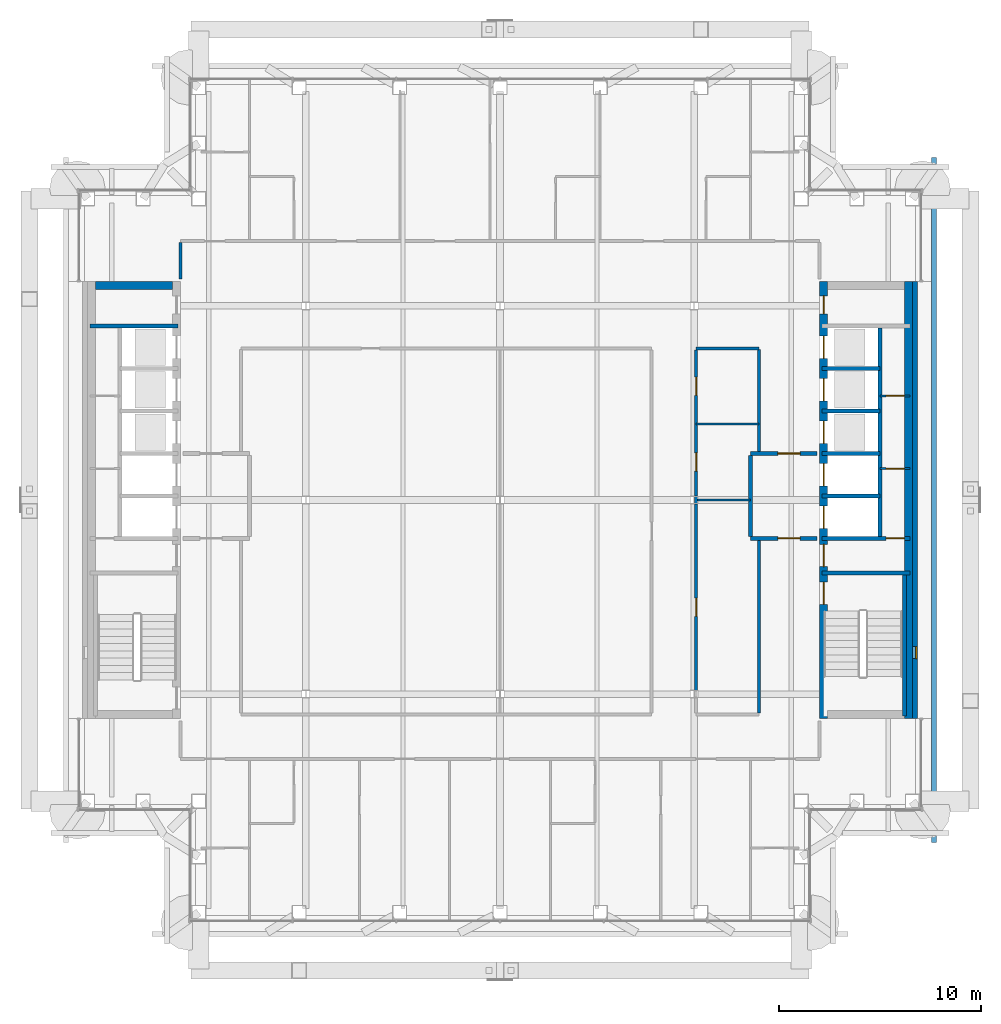
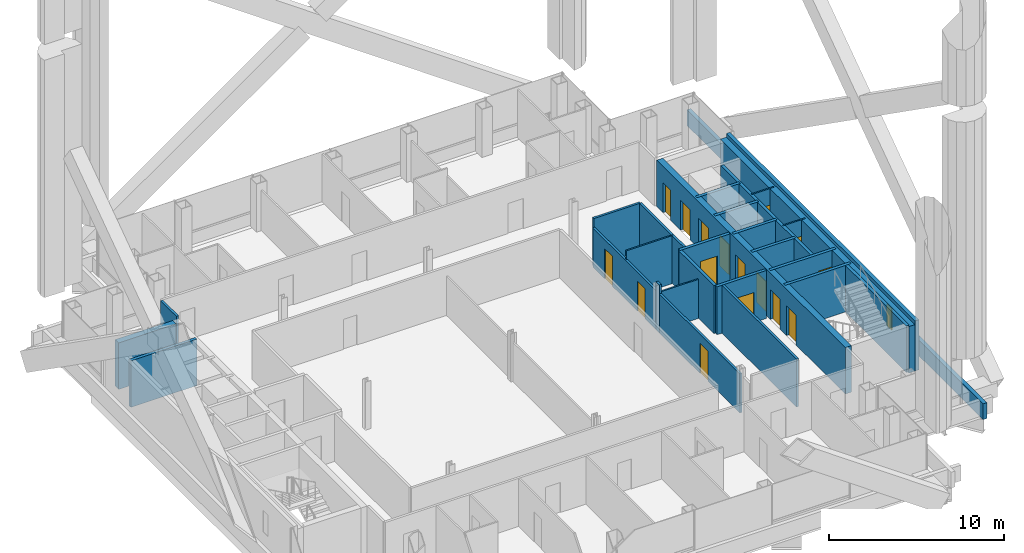
# One storey, part 15 of 22: 28 walls, 16 doors, 1 window, 17 openings.
"""IFC4 building model written with IfcOpenShell, lengths in metres."""

from ifc_helpers import new_model, si_unit, direction, frame, frame_2d, origin, place, context, subcontext, project, spatial, rectangle, extrude, material, layer, layer_set, type_object, element, fill, save


model = new_model("IFC4")

# Units and contexts
model_context = context("Model", 3, precision=1e-05, world=origin(), true_north=direction((0.0, 1.0)))
body_context = subcontext(model_context, "Body", "Model", "MODEL_VIEW")
ifc_project = project(units=[si_unit("LENGTHUNIT", "METRE"), si_unit("AREAUNIT", "SQUARE_METRE"), si_unit("VOLUMEUNIT", "CUBIC_METRE"), si_unit("PLANEANGLEUNIT", "RADIAN"), si_unit("MASSUNIT", "GRAM", prefix="KILO")], contexts=[model_context])

# Site, building, storey
site_placement = place(None, origin())
site = spatial("IfcSite", under=ifc_project, at=site_placement, CompositionType="ELEMENT")
building_placement = place(site_placement, origin())
building = spatial("IfcBuilding", under=site, at=building_placement, Name="Cobrizo Arcos Hotel Tower", CompositionType="ELEMENT")
storey_placement = place(building_placement, frame((0.0, 0.0, 191.0)))
storey = spatial("IfcBuildingStorey", under=building, at=storey_placement, Name="L49", CompositionType="ELEMENT", Elevation=191.0)

# Walls
ifc_material_1 = material(Name="Gypsum board partition")
ifc_layer_1 = layer(ifc_material_1, 0.14990234375)
ifc_layer_set_1 = layer_set([ifc_layer_1], Name="Corridor wall EI 60 150")
wall_type_1 = type_object("IfcWallType", Name="Corridor wall EI 60 150", PredefinedType="PARTITIONING", material=ifc_layer_set_1)
wall_1_placement = place(storey_placement, frame((9.699951171875, 7.5, 0.0), z_axis=(0.0, 0.0, 1.0), x_axis=(1.0, 0.0, 0.0)))
element("IfcWall", 1, at=wall_1_placement, inside=storey, type_object=wall_type_1, Name="Partition 031", PredefinedType="PARTITIONING", context=body_context, shape_type="SweptSolid", body=[
    extrude(rectangle(XDim=3.10009765625, YDim=0.14990234375, at=frame_2d((1.550048828125, 0.0))), origin(), (0.0, 0.0, 1.0), 3.35009765625),
])
wall_2_placement = place(storey_placement, frame((-15.800048828125, 10.919921875, 0.0), z_axis=(0.0, 0.0, 1.0), x_axis=(0.0, 1.0, 0.0)))
element("IfcWall", 2, at=wall_2_placement, inside=storey, type_object=wall_type_1, Name="Partition 043", PredefinedType="PARTITIONING", context=body_context, shape_type="SweptSolid", body=[
    extrude(rectangle(XDim=1.80517578125, YDim=0.14990234375, at=frame_2d((0.902587890625, 0.0))), origin(), (0.0, 0.0, 1.0), 3.35009765625),
])

# Wall, opening, door
wall_3_placement = place(storey_placement, frame((9.699951171875, -9.4130859375, 0.0), z_axis=(0.0, 0.0, 1.0), x_axis=(0.0, 1.0, 0.0)))
wall_3 = element("IfcWall", 3, at=wall_3_placement, inside=storey, type_object=wall_type_1, Name="Partition 068", PredefinedType="PARTITIONING", context=body_context, shape_type="SweptSolid", body=[
    extrude(rectangle(XDim=9.22607421875, YDim=0.14990234375, at=frame_2d((4.613037109375, 0.0))), origin(), (0.0, 0.0, 1.0), 2.72802734375),
])
opening_1_placement = place(wall_3_placement, frame((3.6630859375, 0.0, 0.0)))
opening_1 = element("IfcOpeningElement", 4, at=opening_1_placement, cuts=wall_3, Name="Opening RD-13", PredefinedType="OPENING", context=body_context, shape_type="SweptSolid", body=[
    extrude(rectangle(XDim=0.89990234375, YDim=2.10009765625, at=frame_2d((0.449951171875, 1.050048828125))), frame((0.0, 0.0869140625, 0.0), z_axis=(0.0, -1.0, 0.0), x_axis=(1.0, 0.0, 0.0)), (0.0, 0.0, 1.0), 0.173828125),
])
ifc_material_2 = material(Name="Timber door leaf", Category="wood")
door_type_1 = type_object("IfcDoorType", Name="Room door FD30 900x2100", OperationType="SINGLE_SWING_LEFT", PredefinedType="DOOR", material=ifc_material_2)
door_1_placement = place(opening_1_placement, origin())
door_1 = element("IfcDoor", 5, at=door_1_placement, inside=storey, type_object=door_type_1, Name="Door RD-13", OperationType="SINGLE_SWING_LEFT", OverallHeight=2.10009765625, OverallWidth=0.89990234375, PredefinedType="DOOR", context=body_context, shape_type="SweptSolid", body=[
    extrude(rectangle(XDim=0.89990234375, YDim=2.10009765625, at=frame_2d((0.449951171875, 1.050048828125))), frame((0.0, 0.02490234375, 0.0), z_axis=(0.0, -1.0, 0.0), x_axis=(1.0, 0.0, 0.0)), (0.0, 0.0, 1.0), 0.050048828125),
])
fill(opening_1, door_1)

# Wall
wall_4_placement = place(storey_placement, frame((9.699951171875, -0.18701171875, 0.0), z_axis=(0.0, 0.0, 1.0), x_axis=(0.0, 1.0, 0.0)))
element("IfcWall", 6, at=wall_4_placement, inside=storey, type_object=wall_type_1, Name="Partition 069", PredefinedType="PARTITIONING", context=body_context, shape_type="SweptSolid", body=[
    extrude(rectangle(XDim=0.3740234375, YDim=0.14990234375, at=frame_2d((0.18701171875, 0.0))), origin(), (0.0, 0.0, 1.0), 3.35009765625),
])

# Wall, openings, doors
wall_5_placement = place(storey_placement, frame((9.699951171875, 0.18701171875, 0.0), z_axis=(0.0, 0.0, 1.0), x_axis=(0.0, 1.0, 0.0)))
wall_5 = element("IfcWall", 7, at=wall_5_placement, inside=storey, type_object=wall_type_1, Name="Partition 070", PredefinedType="PARTITIONING", context=body_context, shape_type="SweptSolid", body=[
    extrude(rectangle(XDim=7.238037109375, YDim=0.14990234375, at=frame_2d((3.619140625, 0.0))), origin(), (0.0, 0.0, 1.0), 2.72802734375),
])
opening_2_placement = place(wall_5_placement, frame((1.238037109375, 0.0, 0.0)))
opening_2 = element("IfcOpeningElement", 8, at=opening_2_placement, cuts=wall_5, Name="Opening ED-10", PredefinedType="OPENING", context=body_context, shape_type="SweptSolid", body=[
    extrude(rectangle(XDim=0.89990234375, YDim=2.10009765625, at=frame_2d((0.449951171875, 1.050048828125))), frame((0.0, 0.0869140625, 0.0), z_axis=(0.0, -1.0, 0.0), x_axis=(1.0, 0.0, 0.0)), (0.0, 0.0, 1.0), 0.173828125),
])
opening_3_placement = place(wall_5_placement, frame((4.988037109375, 0.0, 0.0)))
opening_3 = element("IfcOpeningElement", 9, at=opening_3_placement, cuts=wall_5, Name="Opening ED-11", PredefinedType="OPENING", context=body_context, shape_type="SweptSolid", body=[
    extrude(rectangle(XDim=0.89990234375, YDim=2.10009765625, at=frame_2d((0.449951171875, 1.050048828125))), frame((0.0, 0.0869140625, 0.0), z_axis=(0.0, -1.0, 0.0), x_axis=(1.0, 0.0, 0.0)), (0.0, 0.0, 1.0), 0.173828125),
])
door_type_2 = type_object("IfcDoorType", Name="En-suite door 900x2100", OperationType="SINGLE_SWING_LEFT", PredefinedType="DOOR", material=ifc_material_2)
door_2_placement = place(opening_2_placement, origin())
door_2 = element("IfcDoor", 10, at=door_2_placement, inside=storey, type_object=door_type_2, Name="Door ED-10", OperationType="SINGLE_SWING_RIGHT", OverallHeight=2.10009765625, OverallWidth=0.89990234375, PredefinedType="DOOR", context=body_context, shape_type="SweptSolid", body=[
    extrude(rectangle(XDim=0.89990234375, YDim=2.10009765625, at=frame_2d((0.449951171875, 1.050048828125))), frame((0.0, 0.02490234375, 0.0), z_axis=(0.0, -1.0, 0.0), x_axis=(1.0, 0.0, 0.0)), (0.0, 0.0, 1.0), 0.050048828125),
])
fill(opening_2, door_2)
door_3_placement = place(opening_3_placement, origin())
door_3 = element("IfcDoor", 11, at=door_3_placement, inside=storey, type_object=door_type_2, Name="Door ED-11", OperationType="SINGLE_SWING_LEFT", OverallHeight=2.10009765625, OverallWidth=0.89990234375, PredefinedType="DOOR", context=body_context, shape_type="SweptSolid", body=[
    extrude(rectangle(XDim=0.89990234375, YDim=2.10009765625, at=frame_2d((0.449951171875, 1.050048828125))), frame((0.0, 0.02490234375, 0.0), z_axis=(0.0, -1.0, 0.0), x_axis=(1.0, 0.0, 0.0)), (0.0, 0.0, 1.0), 0.050048828125),
])
fill(opening_3, door_3)

# Walls
wall_6_placement = place(storey_placement, frame((12.800048828125, -10.52490234375, 0.0), z_axis=(0.0, 0.0, 1.0), x_axis=(0.0, 1.0, 0.0)))
element("IfcWall", 12, at=wall_6_placement, inside=storey, type_object=wall_type_1, Name="Partition 075", PredefinedType="PARTITIONING", context=body_context, shape_type="SweptSolid", body=[
    extrude(rectangle(XDim=8.52490234375, YDim=0.14990234375, at=frame_2d((4.262451171875, 0.0))), origin(), (0.0, 0.0, 1.0), 3.35009765625),
])
wall_7_placement = place(storey_placement, frame((12.800048828125, 2.39990234375, 0.0), z_axis=(0.0, 0.0, 1.0), x_axis=(0.0, 1.0, 0.0)))
element("IfcWall", 13, at=wall_7_placement, inside=storey, type_object=wall_type_1, Name="Partition 076", PredefinedType="PARTITIONING", context=body_context, shape_type="SweptSolid", body=[
    extrude(rectangle(XDim=5.050048828125, YDim=0.14990234375, at=frame_2d((2.52490234375, 0.0))), origin(), (0.0, 0.0, 1.0), 3.35009765625),
])

# Wall, opening, window
ifc_material_3 = material(Name="Aluminium composite panel pale metal", Category="aluminium")
ifc_layer_2 = layer(ifc_material_3, 0.25)
ifc_layer_set_2 = layer_set([ifc_layer_2], Name="EW-1 insulated panel wall 250")
wall_type_2 = type_object("IfcWallType", Name="EW-1 insulated panel wall 250", PredefinedType="SOLIDWALL", material=ifc_layer_set_2)
wall_8_placement = place(storey_placement, frame((20.52490234375, -10.800048828125, 0.0), z_axis=(0.0, 0.0, 1.0), x_axis=(0.0, 1.0, 0.0)))
wall_8 = element("IfcWall", 14, at=wall_8_placement, inside=storey, type_object=wall_type_2, Name="Core face wall L49 E", PredefinedType="SOLIDWALL", context=body_context, shape_type="SweptSolid", body=[
    extrude(rectangle(XDim=21.60009765625, YDim=0.25, at=frame_2d((10.800048828125, 0.0))), origin(), (0.0, 0.0, 1.0), 3.5),
])
opening_4_placement = place(wall_8_placement, frame((2.949951171875, 0.0, 1.0)))
opening_4 = element("IfcOpeningElement", 15, at=opening_4_placement, cuts=wall_8, Name="Opening W-111", PredefinedType="OPENING", context=body_context, shape_type="SweptSolid", body=[
    extrude(rectangle(XDim=0.60009765625, YDim=1.5, at=frame_2d((0.300048828125, 0.75))), frame((0.0, 0.136962890625, 0.0), z_axis=(0.0, -1.0, 0.0), x_axis=(1.0, 0.0, 0.0)), (0.0, 0.0, 1.0), 0.27392578125),
])
ifc_material_4 = material(Name="Aluminium 6063-T6 and clear laminated glass", Category="aluminium")
window_type = type_object("IfcWindowType", Name="W-C1 core stair slot window 600x1500", PartitioningType="SINGLE_PANEL", PredefinedType="WINDOW", material=ifc_material_4)
window_placement = place(opening_4_placement, origin())
window = element("IfcWindow", 16, at=window_placement, inside=storey, type_object=window_type, Name="Core face wall L49 E window W-111", OverallHeight=1.5, OverallWidth=0.60009765625, PartitioningType="SINGLE_PANEL", PredefinedType="WINDOW", context=body_context, shape_type="SweptSolid", body=[
    extrude(rectangle(XDim=0.60009765625, YDim=1.5, at=frame_2d((0.300048828125, 0.75))), frame((0.0, -0.034912109375, 0.0), z_axis=(0.0, -1.0, 0.0), x_axis=(1.0, 0.0, 0.0)), (0.0, 0.0, 1.0), 0.06005859375),
])
fill(opening_4, window)

# Walls
ifc_layer_3 = layer(ifc_material_3, 0.25)
ifc_layer_set_3 = layer_set([ifc_layer_3], Name="PW-1 parapet wall")
wall_type_3 = type_object("IfcWallType", Name="PW-1 parapet wall", PredefinedType="PARAPET", material=ifc_layer_set_3)
wall_9_placement = place(storey_placement, frame((21.47509765625, -16.949951171875, 0.0), z_axis=(0.0, 0.0, 1.0), x_axis=(0.0, 1.0, 0.0)))
element("IfcWall", 17, at=wall_9_placement, inside=storey, type_object=wall_type_3, Name="Parapet L48 E", PredefinedType="PARAPET", context=body_context, shape_type="SweptSolid", body=[
    extrude(rectangle(XDim=33.89990234375, YDim=0.25, at=frame_2d((16.949951171875, 0.0))), origin(), (0.0, 0.0, 1.0), 1.10009765625),
])
ifc_layer_4 = layer(ifc_material_1, 0.10009765625)
ifc_layer_set_4 = layer_set([ifc_layer_4], Name="Partition EI 30 100")
wall_type_4 = type_object("IfcWallType", Name="Partition EI 30 100", PredefinedType="PARTITIONING", material=ifc_layer_set_4)
wall_10_placement = place(storey_placement, frame((9.699951171875, 0.0, 0.0), z_axis=(0.0, 0.0, 1.0), x_axis=(1.0, 0.0, 0.0)))
element("IfcWall", 18, at=wall_10_placement, inside=storey, type_object=wall_type_4, Name="Partition 014", PredefinedType="PARTITIONING", context=body_context, shape_type="SweptSolid", body=[
    extrude(rectangle(XDim=2.699951171875, YDim=0.10009765625, at=frame_2d((1.35009765625, 0.0))), origin(), (0.0, 0.0, 1.0), 2.72802734375),
])

# Wall, opening, door
wall_11_placement = place(storey_placement, frame((18.800048828125, 1.550048828125, 0.0), z_axis=(0.0, 0.0, 1.0), x_axis=(1.0, 0.0, 0.0)))
wall_11 = element("IfcWall", 19, at=wall_11_placement, inside=storey, type_object=wall_type_4, Name="Partition 018", PredefinedType="PARTITIONING", context=body_context, shape_type="SweptSolid", body=[
    extrude(rectangle(XDim=1.47998046875, YDim=0.10009765625, at=frame_2d((0.739990234375, 0.0))), origin(), (0.0, 0.0, 1.0), 3.25),
])
opening_5_placement = place(wall_11_placement, frame((0.300048828125, 0.0, 0.0)))
opening_5 = element("IfcOpeningElement", 20, at=opening_5_placement, cuts=wall_11, Name="Opening RD-07", PredefinedType="OPENING", context=body_context, shape_type="SweptSolid", body=[
    extrude(rectangle(XDim=0.89990234375, YDim=2.10009765625, at=frame_2d((0.449951171875, 1.050048828125))), frame((0.0, 0.06201171875, 0.0), z_axis=(0.0, -1.0, 0.0), x_axis=(1.0, 0.0, 0.0)), (0.0, 0.0, 1.0), 0.1240234375),
])
door_4_placement = place(opening_5_placement, origin())
door_4 = element("IfcDoor", 21, at=door_4_placement, inside=storey, type_object=door_type_1, Name="Door RD-07", OperationType="SINGLE_SWING_LEFT", OverallHeight=2.10009765625, OverallWidth=0.89990234375, PredefinedType="DOOR", context=body_context, shape_type="SweptSolid", body=[
    extrude(rectangle(XDim=0.89990234375, YDim=2.10009765625, at=frame_2d((0.449951171875, 1.050048828125))), frame((0.0, 0.02490234375, 0.0), z_axis=(0.0, -1.0, 0.0), x_axis=(1.0, 0.0, 0.0)), (0.0, 0.0, 1.0), 0.050048828125),
])
fill(opening_5, door_4)

# Wall
wall_12_placement = place(storey_placement, frame((9.699951171875, 3.75, 0.0), z_axis=(0.0, 0.0, 1.0), x_axis=(1.0, 0.0, 0.0)))
element("IfcWall", 22, at=wall_12_placement, inside=storey, type_object=wall_type_4, Name="Partition 023", PredefinedType="PARTITIONING", context=body_context, shape_type="SweptSolid", body=[
    extrude(rectangle(XDim=3.10009765625, YDim=0.10009765625, at=frame_2d((1.550048828125, 0.0))), origin(), (0.0, 0.0, 1.0), 3.35009765625),
])

# Wall, opening, door
wall_13_placement = place(storey_placement, frame((18.800048828125, 5.14990234375, 0.0), z_axis=(0.0, 0.0, 1.0), x_axis=(1.0, 0.0, 0.0)))
wall_13 = element("IfcWall", 23, at=wall_13_placement, inside=storey, type_object=wall_type_4, Name="Partition 027", PredefinedType="PARTITIONING", context=body_context, shape_type="SweptSolid", body=[
    extrude(rectangle(XDim=1.47998046875, YDim=0.10009765625, at=frame_2d((0.739990234375, 0.0))), origin(), (0.0, 0.0, 1.0), 3.25),
])
opening_6_placement = place(wall_13_placement, frame((0.300048828125, 0.0, 0.0)))
opening_6 = element("IfcOpeningElement", 24, at=opening_6_placement, cuts=wall_13, Name="Opening RD-08", PredefinedType="OPENING", context=body_context, shape_type="SweptSolid", body=[
    extrude(rectangle(XDim=0.89990234375, YDim=2.10009765625, at=frame_2d((0.449951171875, 1.050048828125))), frame((0.0, 0.06201171875, 0.0), z_axis=(0.0, -1.0, 0.0), x_axis=(1.0, 0.0, 0.0)), (0.0, 0.0, 1.0), 0.1240234375),
])
door_5_placement = place(opening_6_placement, origin())
door_5 = element("IfcDoor", 25, at=door_5_placement, inside=storey, type_object=door_type_1, Name="Door RD-08", OperationType="SINGLE_SWING_RIGHT", OverallHeight=2.10009765625, OverallWidth=0.89990234375, PredefinedType="DOOR", context=body_context, shape_type="SweptSolid", body=[
    extrude(rectangle(XDim=0.89990234375, YDim=2.10009765625, at=frame_2d((0.449951171875, 1.050048828125))), frame((0.0, 0.02490234375, 0.0), z_axis=(0.0, -1.0, 0.0), x_axis=(1.0, 0.0, 0.0)), (0.0, 0.0, 1.0), 0.050048828125),
])
fill(opening_6, door_5)

# Wall, openings, doors
ifc_material_5 = material(Name="Concrete f'c 40 MPa", Category="concrete")
ifc_layer_5 = layer(ifc_material_5, 0.39990234375)
ifc_layer_set_5 = layer_set([ifc_layer_5], Name="RC core wall 400 f'c 40")
wall_type_5 = type_object("IfcWallType", Name="RC core wall 400 f'c 40", PredefinedType="SHEAR", material=ifc_layer_set_5)
wall_14_placement = place(storey_placement, frame((16.0, -10.800048828125, 0.0), z_axis=(0.0, 0.0, 1.0), x_axis=(0.0, 1.0, 0.0)))
wall_14 = element("IfcWall", 26, at=wall_14_placement, inside=storey, type_object=wall_type_5, Name="Core wall CW4, east core, inner face, L49", PredefinedType="SHEAR", context=body_context, shape_type="SweptSolid", body=[
    extrude(rectangle(XDim=21.60009765625, YDim=0.39990234375, at=frame_2d((10.800048828125, 0.0))), origin(), (0.0, 0.0, 1.0), 3.25),
])
opening_7_placement = place(wall_14_placement, frame((9.39990234375, 0.0, 0.0)))
opening_7 = element("IfcOpeningElement", 27, at=opening_7_placement, cuts=wall_14, Name="Opening LD-06", PredefinedType="OPENING", context=body_context, shape_type="SweptSolid", body=[
    extrude(rectangle(XDim=1.10009765625, YDim=2.10009765625, at=frame_2d((0.550048828125, 1.050048828125))), frame((0.0, 0.2119140625, 0.0), z_axis=(0.0, -1.0, 0.0), x_axis=(1.0, 0.0, 0.0)), (0.0, 0.0, 1.0), 0.423828125),
])
opening_8_placement = place(wall_14_placement, frame((11.5, 0.0, 0.0)))
opening_8 = element("IfcOpeningElement", 28, at=opening_8_placement, cuts=wall_14, Name="Opening LD-07", PredefinedType="OPENING", context=body_context, shape_type="SweptSolid", body=[
    extrude(rectangle(XDim=1.10009765625, YDim=2.10009765625, at=frame_2d((0.550048828125, 1.050048828125))), frame((0.0, 0.2119140625, 0.0), z_axis=(0.0, -1.0, 0.0), x_axis=(1.0, 0.0, 0.0)), (0.0, 0.0, 1.0), 0.423828125),
])
opening_9_placement = place(wall_14_placement, frame((13.60009765625, 0.0, 0.0)))
opening_9 = element("IfcOpeningElement", 29, at=opening_9_placement, cuts=wall_14, Name="Opening LD-08", PredefinedType="OPENING", context=body_context, shape_type="SweptSolid", body=[
    extrude(rectangle(XDim=1.10009765625, YDim=2.10009765625, at=frame_2d((0.550048828125, 1.050048828125))), frame((0.0, 0.2119140625, 0.0), z_axis=(0.0, -1.0, 0.0), x_axis=(1.0, 0.0, 0.0)), (0.0, 0.0, 1.0), 0.423828125),
])
opening_10_placement = place(wall_14_placement, frame((15.699951171875, 0.0, 0.0)))
opening_10 = element("IfcOpeningElement", 30, at=opening_10_placement, cuts=wall_14, Name="Opening LD-09", PredefinedType="OPENING", context=body_context, shape_type="SweptSolid", body=[
    extrude(rectangle(XDim=1.10009765625, YDim=2.10009765625, at=frame_2d((0.550048828125, 1.050048828125))), frame((0.0, 0.2119140625, 0.0), z_axis=(0.0, -1.0, 0.0), x_axis=(1.0, 0.0, 0.0)), (0.0, 0.0, 1.0), 0.423828125),
])
opening_11_placement = place(wall_14_placement, frame((17.800048828125, 0.0, 0.0)))
opening_11 = element("IfcOpeningElement", 31, at=opening_11_placement, cuts=wall_14, Name="Opening LD-10", PredefinedType="OPENING", context=body_context, shape_type="SweptSolid", body=[
    extrude(rectangle(XDim=1.10009765625, YDim=2.10009765625, at=frame_2d((0.550048828125, 1.050048828125))), frame((0.0, 0.2119140625, 0.0), z_axis=(0.0, -1.0, 0.0), x_axis=(1.0, 0.0, 0.0)), (0.0, 0.0, 1.0), 0.423828125),
])
opening_12_placement = place(wall_14_placement, frame((5.64208984375, 0.0, 0.0)))
opening_12 = element("IfcOpeningElement", 32, at=opening_12_placement, cuts=wall_14, Name="Opening SD-02", PredefinedType="OPENING", context=body_context, shape_type="SweptSolid", body=[
    extrude(rectangle(XDim=1.10009765625, YDim=2.10009765625, at=frame_2d((0.550048828125, 1.050048828125))), frame((0.0, 0.2119140625, 0.0), z_axis=(0.0, -1.0, 0.0), x_axis=(1.0, 0.0, 0.0)), (0.0, 0.0, 1.0), 0.423828125),
])
opening_13_placement = place(wall_14_placement, frame((7.5, 0.0, 0.0)))
opening_13 = element("IfcOpeningElement", 33, at=opening_13_placement, cuts=wall_14, Name="Opening FD-04", PredefinedType="OPENING", context=body_context, shape_type="SweptSolid", body=[
    extrude(rectangle(XDim=1.10009765625, YDim=2.10009765625, at=frame_2d((0.550048828125, 1.050048828125))), frame((0.0, 0.2119140625, 0.0), z_axis=(0.0, -1.0, 0.0), x_axis=(1.0, 0.0, 0.0)), (0.0, 0.0, 1.0), 0.423828125),
])
opening_14_placement = place(wall_14_placement, frame((20.0, 0.0, 0.0)))
opening_14 = element("IfcOpeningElement", 34, at=opening_14_placement, cuts=wall_14, Name="Opening RD-05", PredefinedType="OPENING", context=body_context, shape_type="SweptSolid", body=[
    extrude(rectangle(XDim=0.89990234375, YDim=2.10009765625, at=frame_2d((0.449951171875, 1.050048828125))), frame((0.0, 0.2119140625, 0.0), z_axis=(0.0, -1.0, 0.0), x_axis=(1.0, 0.0, 0.0)), (0.0, 0.0, 1.0), 0.423828125),
])
ifc_material_6 = material(Name="Steel door leaf", Category="steel")
door_type_3 = type_object("IfcDoorType", Name="Fire door FD60 1100x2100", OperationType="SINGLE_SWING_LEFT", PredefinedType="DOOR", material=ifc_material_6)
door_6_placement = place(opening_13_placement, origin())
door_6 = element("IfcDoor", 35, at=door_6_placement, inside=storey, type_object=door_type_3, Name="Door FD-04", OperationType="SINGLE_SWING_LEFT", OverallHeight=2.10009765625, OverallWidth=1.10009765625, PredefinedType="DOOR", context=body_context, shape_type="SweptSolid", body=[
    extrude(rectangle(XDim=1.10009765625, YDim=2.10009765625, at=frame_2d((0.550048828125, 1.050048828125))), frame((0.0, 0.02490234375, 0.0), z_axis=(0.0, -1.0, 0.0), x_axis=(1.0, 0.0, 0.0)), (0.0, 0.0, 1.0), 0.050048828125),
])
fill(opening_13, door_6)
door_type_4 = type_object("IfcDoorType", Name="Lift landing door 1100x2100", OperationType="SLIDING_TO_LEFT", PredefinedType="DOOR", material=ifc_material_6)
door_7_placement = place(opening_7_placement, origin())
door_7 = element("IfcDoor", 36, at=door_7_placement, inside=storey, type_object=door_type_4, Name="Lift landing door LD-06", OperationType="SLIDING_TO_LEFT", OverallHeight=2.10009765625, OverallWidth=1.10009765625, PredefinedType="DOOR", context=body_context, shape_type="SweptSolid", body=[
    extrude(rectangle(XDim=1.10009765625, YDim=2.10009765625, at=frame_2d((0.550048828125, 1.050048828125))), frame((0.0, 0.02490234375, 0.0), z_axis=(0.0, -1.0, 0.0), x_axis=(1.0, 0.0, 0.0)), (0.0, 0.0, 1.0), 0.050048828125),
])
fill(opening_7, door_7)
door_8_placement = place(opening_8_placement, origin())
door_8 = element("IfcDoor", 37, at=door_8_placement, inside=storey, type_object=door_type_4, Name="Lift landing door LD-07", OperationType="SLIDING_TO_LEFT", OverallHeight=2.10009765625, OverallWidth=1.10009765625, PredefinedType="DOOR", context=body_context, shape_type="SweptSolid", body=[
    extrude(rectangle(XDim=1.10009765625, YDim=2.10009765625, at=frame_2d((0.550048828125, 1.050048828125))), frame((0.0, 0.02490234375, 0.0), z_axis=(0.0, -1.0, 0.0), x_axis=(1.0, 0.0, 0.0)), (0.0, 0.0, 1.0), 0.050048828125),
])
fill(opening_8, door_8)
door_9_placement = place(opening_9_placement, origin())
door_9 = element("IfcDoor", 38, at=door_9_placement, inside=storey, type_object=door_type_4, Name="Lift landing door LD-08", OperationType="SLIDING_TO_LEFT", OverallHeight=2.10009765625, OverallWidth=1.10009765625, PredefinedType="DOOR", context=body_context, shape_type="SweptSolid", body=[
    extrude(rectangle(XDim=1.10009765625, YDim=2.10009765625, at=frame_2d((0.550048828125, 1.050048828125))), frame((0.0, 0.02490234375, 0.0), z_axis=(0.0, -1.0, 0.0), x_axis=(1.0, 0.0, 0.0)), (0.0, 0.0, 1.0), 0.050048828125),
])
fill(opening_9, door_9)
door_10_placement = place(opening_10_placement, origin())
door_10 = element("IfcDoor", 39, at=door_10_placement, inside=storey, type_object=door_type_4, Name="Lift landing door LD-09", OperationType="SLIDING_TO_LEFT", OverallHeight=2.10009765625, OverallWidth=1.10009765625, PredefinedType="DOOR", context=body_context, shape_type="SweptSolid", body=[
    extrude(rectangle(XDim=1.10009765625, YDim=2.10009765625, at=frame_2d((0.550048828125, 1.050048828125))), frame((0.0, 0.02490234375, 0.0), z_axis=(0.0, -1.0, 0.0), x_axis=(1.0, 0.0, 0.0)), (0.0, 0.0, 1.0), 0.050048828125),
])
fill(opening_10, door_10)
door_11_placement = place(opening_11_placement, origin())
door_11 = element("IfcDoor", 40, at=door_11_placement, inside=storey, type_object=door_type_4, Name="Lift landing door LD-10", OperationType="SLIDING_TO_LEFT", OverallHeight=2.10009765625, OverallWidth=1.10009765625, PredefinedType="DOOR", context=body_context, shape_type="SweptSolid", body=[
    extrude(rectangle(XDim=1.10009765625, YDim=2.10009765625, at=frame_2d((0.550048828125, 1.050048828125))), frame((0.0, 0.02490234375, 0.0), z_axis=(0.0, -1.0, 0.0), x_axis=(1.0, 0.0, 0.0)), (0.0, 0.0, 1.0), 0.050048828125),
])
fill(opening_11, door_11)
door_12_placement = place(opening_14_placement, origin())
door_12 = element("IfcDoor", 41, at=door_12_placement, inside=storey, type_object=door_type_1, Name="Door RD-05", OperationType="SINGLE_SWING_RIGHT", OverallHeight=2.10009765625, OverallWidth=0.89990234375, PredefinedType="DOOR", context=body_context, shape_type="SweptSolid", body=[
    extrude(rectangle(XDim=0.89990234375, YDim=2.10009765625, at=frame_2d((0.449951171875, 1.050048828125))), frame((0.0, 0.02490234375, 0.0), z_axis=(0.0, -1.0, 0.0), x_axis=(1.0, 0.0, 0.0)), (0.0, 0.0, 1.0), 0.050048828125),
])
fill(opening_14, door_12)
door_type_5 = type_object("IfcDoorType", Name="Stair door FD60S 1100x2100", OperationType="SINGLE_SWING_LEFT", PredefinedType="DOOR", material=ifc_material_6)
door_13_placement = place(opening_12_placement, origin())
door_13 = element("IfcDoor", 42, at=door_13_placement, inside=storey, type_object=door_type_5, Name="Door SD-02", OperationType="SINGLE_SWING_LEFT", OverallHeight=2.10009765625, OverallWidth=1.10009765625, PredefinedType="DOOR", context=body_context, shape_type="SweptSolid", body=[
    extrude(rectangle(XDim=1.10009765625, YDim=2.10009765625, at=frame_2d((0.550048828125, 1.050048828125))), frame((0.0, 0.02490234375, 0.0), z_axis=(0.0, -1.0, 0.0), x_axis=(1.0, 0.0, 0.0)), (0.0, 0.0, 1.0), 0.050048828125),
])
fill(opening_12, door_13)

# Walls
wall_15_placement = place(storey_placement, frame((20.199951171875, -10.800048828125, 0.0), z_axis=(0.0, 0.0, 1.0), x_axis=(0.0, 1.0, 0.0)))
element("IfcWall", 43, at=wall_15_placement, inside=storey, type_object=wall_type_5, Name="Core wall CW4, east core, outer face, L49", PredefinedType="SHEAR", context=body_context, shape_type="SweptSolid", body=[
    extrude(rectangle(XDim=21.60009765625, YDim=0.39990234375, at=frame_2d((10.800048828125, 0.0))), origin(), (0.0, 0.0, 1.0), 3.25),
])
wall_16_placement = place(storey_placement, frame((-20.0, 10.60009765625, 0.0), z_axis=(0.0, 0.0, 1.0), x_axis=(1.0, 0.0, 0.0)))
element("IfcWall", 44, at=wall_16_placement, inside=storey, type_object=wall_type_5, Name="Core wall CW4, west core, north end, L49", PredefinedType="SHEAR", context=body_context, shape_type="SweptSolid", body=[
    extrude(rectangle(XDim=3.800048828125, YDim=0.39990234375, at=frame_2d((1.89990234375, 0.0))), origin(), (0.0, 0.0, 1.0), 3.25),
])

# Wall, opening, door
ifc_layer_6 = layer(ifc_material_1, 0.199951171875)
ifc_layer_set_6 = layer_set([ifc_layer_6], Name="Shaft wall EI 120 200")
wall_type_6 = type_object("IfcWallType", Name="Shaft wall EI 120 200", PredefinedType="PARTITIONING", material=ifc_layer_set_6)
wall_17_placement = place(storey_placement, frame((12.39990234375, -1.89990234375, 0.0), z_axis=(0.0, 0.0, 1.0), x_axis=(1.0, 0.0, 0.0)))
wall_17 = element("IfcWall", 45, at=wall_17_placement, inside=storey, type_object=wall_type_6, Name="Partition 012", PredefinedType="PARTITIONING", context=body_context, shape_type="SweptSolid", body=[
    extrude(rectangle(XDim=3.280029296875, YDim=0.199951171875, at=frame_2d((1.64013671875, 0.0))), origin(), (0.0, 0.0, 1.0), 3.35009765625),
])
opening_15_placement = place(wall_17_placement, frame((1.340087890625, 0.0, 0.0)))
opening_15 = element("IfcOpeningElement", 46, at=opening_15_placement, cuts=wall_17, Name="Opening FD-06", PredefinedType="OPENING", context=body_context, shape_type="SweptSolid", body=[
    extrude(rectangle(XDim=1.10009765625, YDim=2.10009765625, at=frame_2d((0.550048828125, 1.050048828125))), frame((0.0, 0.112060546875, 0.0), z_axis=(0.0, -1.0, 0.0), x_axis=(1.0, 0.0, 0.0)), (0.0, 0.0, 1.0), 0.223876953125),
])
door_14_placement = place(opening_15_placement, origin())
door_14 = element("IfcDoor", 47, at=door_14_placement, inside=storey, type_object=door_type_3, Name="Door FD-06", OperationType="SINGLE_SWING_RIGHT", OverallHeight=2.10009765625, OverallWidth=1.10009765625, PredefinedType="DOOR", context=body_context, shape_type="SweptSolid", body=[
    extrude(rectangle(XDim=1.10009765625, YDim=2.10009765625, at=frame_2d((0.550048828125, 1.050048828125))), frame((0.0, 0.02490234375, 0.0), z_axis=(0.0, -1.0, 0.0), x_axis=(1.0, 0.0, 0.0)), (0.0, 0.0, 1.0), 0.050048828125),
])
fill(opening_15, door_14)

wall_18_placement = place(storey_placement, frame((15.919921875, -1.89990234375, 0.0), z_axis=(0.0, 0.0, 1.0), x_axis=(1.0, 0.0, 0.0)))
wall_18 = element("IfcWall", 48, at=wall_18_placement, inside=storey, type_object=wall_type_6, Name="Partition 013", PredefinedType="PARTITIONING", context=body_context, shape_type="SweptSolid", body=[
    extrude(rectangle(XDim=4.360107421875, YDim=0.199951171875, at=frame_2d((2.18017578125, 0.0))), origin(), (0.0, 0.0, 1.0), 3.25),
])
opening_16_placement = place(wall_18_placement, frame((3.179931640625, 0.0, 0.0)))
opening_16 = element("IfcOpeningElement", 49, at=opening_16_placement, cuts=wall_18, Name="Opening RD-06", PredefinedType="OPENING", context=body_context, shape_type="SweptSolid", body=[
    extrude(rectangle(XDim=0.89990234375, YDim=2.10009765625, at=frame_2d((0.449951171875, 1.050048828125))), frame((0.0, 0.112060546875, 0.0), z_axis=(0.0, -1.0, 0.0), x_axis=(1.0, 0.0, 0.0)), (0.0, 0.0, 1.0), 0.223876953125),
])
door_15_placement = place(opening_16_placement, origin())
door_15 = element("IfcDoor", 50, at=door_15_placement, inside=storey, type_object=door_type_1, Name="Door RD-06", OperationType="SINGLE_SWING_RIGHT", OverallHeight=2.10009765625, OverallWidth=0.89990234375, PredefinedType="DOOR", context=body_context, shape_type="SweptSolid", body=[
    extrude(rectangle(XDim=0.89990234375, YDim=2.10009765625, at=frame_2d((0.449951171875, 1.050048828125))), frame((0.0, 0.02490234375, 0.0), z_axis=(0.0, -1.0, 0.0), x_axis=(1.0, 0.0, 0.0)), (0.0, 0.0, 1.0), 0.050048828125),
])
fill(opening_16, door_15)

# Wall
wall_19_placement = place(storey_placement, frame((15.919921875, 0.199951171875, 0.0), z_axis=(0.0, 0.0, 1.0), x_axis=(1.0, 0.0, 0.0)))
element("IfcWall", 51, at=wall_19_placement, inside=storey, type_object=wall_type_6, Name="Partition 016", PredefinedType="PARTITIONING", context=body_context, shape_type="SweptSolid", body=[
    extrude(rectangle(XDim=2.880126953125, YDim=0.199951171875, at=frame_2d((1.43994140625, 0.0))), origin(), (0.0, 0.0, 1.0), 3.25),
])

# Wall, opening, door
wall_20_placement = place(storey_placement, frame((12.39990234375, 2.300048828125, 0.0), z_axis=(0.0, 0.0, 1.0), x_axis=(1.0, 0.0, 0.0)))
wall_20 = element("IfcWall", 52, at=wall_20_placement, inside=storey, type_object=wall_type_6, Name="Partition 021", PredefinedType="PARTITIONING", context=body_context, shape_type="SweptSolid", body=[
    extrude(rectangle(XDim=3.280029296875, YDim=0.199951171875, at=frame_2d((1.64013671875, 0.0))), origin(), (0.0, 0.0, 1.0), 3.35009765625),
])
opening_17_placement = place(wall_20_placement, frame((1.340087890625, 0.0, 0.0)))
opening_17 = element("IfcOpeningElement", 53, at=opening_17_placement, cuts=wall_20, Name="Opening FD-05", PredefinedType="OPENING", context=body_context, shape_type="SweptSolid", body=[
    extrude(rectangle(XDim=1.10009765625, YDim=2.10009765625, at=frame_2d((0.550048828125, 1.050048828125))), frame((0.0, 0.112060546875, 0.0), z_axis=(0.0, -1.0, 0.0), x_axis=(1.0, 0.0, 0.0)), (0.0, 0.0, 1.0), 0.223876953125),
])
door_16_placement = place(opening_17_placement, origin())
door_16 = element("IfcDoor", 54, at=door_16_placement, inside=storey, type_object=door_type_3, Name="Door FD-05", OperationType="SINGLE_SWING_LEFT", OverallHeight=2.10009765625, OverallWidth=1.10009765625, PredefinedType="DOOR", context=body_context, shape_type="SweptSolid", body=[
    extrude(rectangle(XDim=1.10009765625, YDim=2.10009765625, at=frame_2d((0.550048828125, 1.050048828125))), frame((0.0, 0.02490234375, 0.0), z_axis=(0.0, -1.0, 0.0), x_axis=(1.0, 0.0, 0.0)), (0.0, 0.0, 1.0), 0.050048828125),
])
fill(opening_17, door_16)

# Walls
for number, where, z_axis, x_axis, name in (
    (55, (15.919921875, 2.300048828125, 0.0), (0.0, 0.0, 1.0), (1.0, 0.0, 0.0), "Partition 022"),
    (56, (15.919921875, 4.39990234375, 0.0), (0.0, 0.0, 1.0), (1.0, 0.0, 0.0), "Partition 025"),
    (57, (15.919921875, 6.5, 0.0), (0.0, 0.0, 1.0), (1.0, 0.0, 0.0), "Partition 029"),
):
    element("IfcWall", number, at=place(storey_placement, frame(where, z_axis=z_axis, x_axis=x_axis)), inside=storey, type_object=wall_type_6, Name=name, PredefinedType="PARTITIONING", context=body_context, shape_type="SweptSolid", body=[
        extrude(rectangle(XDim=2.880126953125, YDim=0.199951171875, at=frame_2d((1.43994140625, 0.0))), origin(), (0.0, 0.0, 1.0), 3.25),
    ])
wall_21_placement = place(storey_placement, frame((-20.280029296875, 8.60009765625, 0.0), z_axis=(0.0, 0.0, 1.0), x_axis=(1.0, 0.0, 0.0)))
element("IfcWall", 58, at=wall_21_placement, inside=storey, type_object=wall_type_6, Name="Partition 032", PredefinedType="PARTITIONING", context=body_context, shape_type="SweptSolid", body=[
    extrude(rectangle(XDim=4.360107421875, YDim=0.199951171875, at=frame_2d((2.18017578125, 0.0))), origin(), (0.0, 0.0, 1.0), 3.25),
])
wall_22_placement = place(storey_placement, frame((12.39990234375, -1.800048828125, 0.0), z_axis=(0.0, 0.0, 1.0), x_axis=(0.0, 1.0, 0.0)))
element("IfcWall", 59, at=wall_22_placement, inside=storey, type_object=wall_type_6, Name="Partition 073", PredefinedType="PARTITIONING", context=body_context, shape_type="SweptSolid", body=[
    extrude(rectangle(XDim=4.0, YDim=0.199951171875, at=frame_2d((2.0, 0.0))), origin(), (0.0, 0.0, 1.0), 3.35009765625),
])
wall_23_placement = place(storey_placement, frame((18.800048828125, -1.800048828125, 0.0), z_axis=(0.0, 0.0, 1.0), x_axis=(0.0, 1.0, 0.0)))
element("IfcWall", 60, at=wall_23_placement, inside=storey, type_object=wall_type_6, Name="Partition 079", PredefinedType="PARTITIONING", context=body_context, shape_type="SweptSolid", body=[
    extrude(rectangle(XDim=10.300048828125, YDim=0.199951171875, at=frame_2d((5.14990234375, 0.0))), origin(), (0.0, 0.0, 1.0), 3.25),
])
ifc_layer_7 = layer(ifc_material_5, 0.199951171875)
ifc_layer_set_7 = layer_set([ifc_layer_7], Name="Stair shaft wall 200")
wall_type_7 = type_object("IfcWallType", Name="Stair shaft wall 200", PredefinedType="SHEAR", material=ifc_layer_set_7)
wall_24_placement = place(storey_placement, frame((15.919921875, -3.60009765625, 0.0), z_axis=(0.0, 0.0, 1.0), x_axis=(1.0, 0.0, 0.0)))
element("IfcWall", 61, at=wall_24_placement, inside=storey, type_object=wall_type_7, Name="Stair shaft wall E", PredefinedType="SHEAR", context=body_context, shape_type="SweptSolid", body=[
    extrude(rectangle(XDim=4.360107421875, YDim=0.199951171875, at=frame_2d((2.18017578125, 0.0))), origin(), (0.0, 0.0, 1.0), 3.25),
])
wall_25_placement = place(storey_placement, frame((20.0, -10.679931640625, 0.0), z_axis=(0.0, 0.0, 1.0), x_axis=(0.0, 1.0, 0.0)))
element("IfcWall", 62, at=wall_25_placement, inside=storey, type_object=wall_type_7, Name="Stair shaft wall E", PredefinedType="SHEAR", context=body_context, shape_type="SweptSolid", body=[
    extrude(rectangle(XDim=6.97998046875, YDim=0.199951171875, at=frame_2d((3.489990234375, 0.0))), origin(), (0.0, 0.0, 1.0), 3.25),
])

save(model, "model.ifc")
